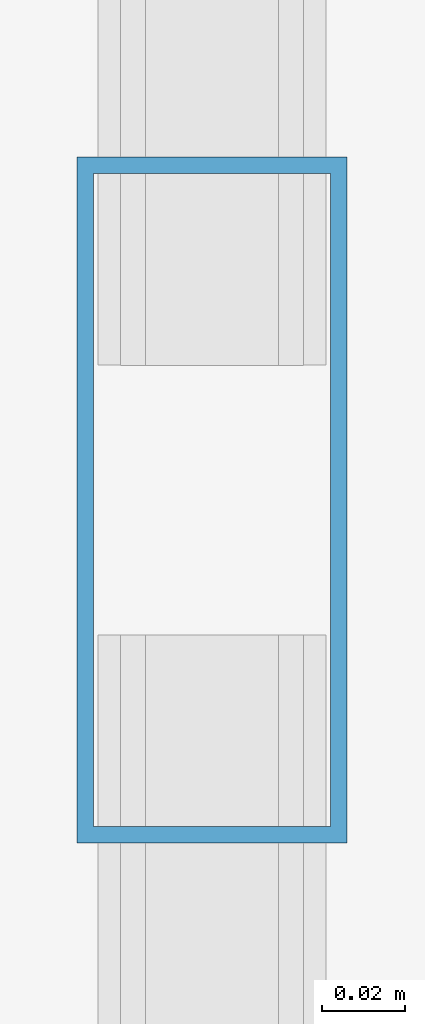
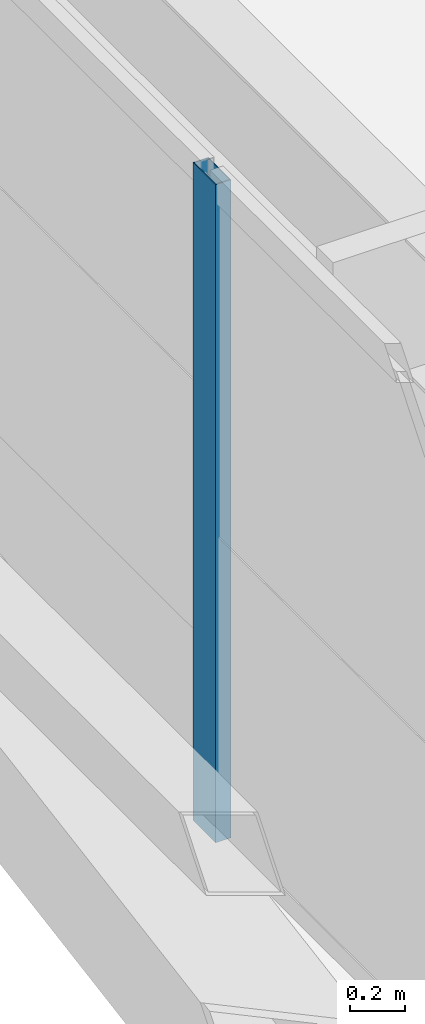
# One storey, part 11 of 44: 1 member, 1 element without a shape of its own.
"""IFC4 building model written with IfcOpenShell, lengths in metres."""

import ifcopenshell
import ifcopenshell.guid

model = None  # the IFC model being written
_history = None  # IfcOwnerHistory: only IFC2X3 demands one
_inside = {}  # id of a spatial element -> (the spatial element, [elements in it])
_under = {}  # id of a project, library or spatial element -> (it, [spatial elements below it])
_declared = {}  # id of a project -> (the project, [libraries it declares])
_typed = {}  # id of a type object -> (the type object, [elements of that type])
_made_of = {}  # id of a material, layer set ... -> (it, [elements and type objects made of it])


def new_model(schema):
    """Start an empty IFC model of exactly this schema.

    Asked for "IFC4X3", IfcOpenShell would pick the latest addendum, in which some entities
    have other attributes; the version numbers below select the first issue.
    IFC2X3 requires an IfcOwnerHistory on every rooted entity: one is made here for all.
    """
    global model, _history
    if schema == "IFC4X3":
        model = ifcopenshell.file(schema_version=(4, 3, 0, 0))
    else:
        model = ifcopenshell.file(schema=schema)
    _inside.clear()
    _under.clear()
    _declared.clear()
    _typed.clear()
    _made_of.clear()
    _history = None
    if model.schema == "IFC2X3":
        org = make("IfcOrganization", Name="unknown")
        user = make(
            "IfcPersonAndOrganization",
            ThePerson=make("IfcPerson", FamilyName="unknown"),
            TheOrganization=org,
        )
        app = make(
            "IfcApplication",
            ApplicationDeveloper=org,
            Version="unknown",
            ApplicationFullName="unknown",
            ApplicationIdentifier="unknown",
        )
        _history = make(
            "IfcOwnerHistory",
            OwningUser=user,
            OwningApplication=app,
            ChangeAction="ADDED",
            CreationDate=0,
        )
    return model


def make(cls, **values):
    """One entity of the class cls with the attributes given. An attribute that is None is left unset."""
    return model.create_entity(
        cls, **{name: value for name, value in values.items() if value is not None}
    )


def rooted(cls, **values):
    """An entity with a GlobalId (a new one), such as an element, a storey or a relation."""
    return make(cls, GlobalId=ifcopenshell.guid.new(), OwnerHistory=_history, **values)


def si_unit(unit_type, name, prefix=None):
    """IfcSIUnit, for example si_unit("LENGTHUNIT", "METRE", prefix="MILLI")."""
    return make("IfcSIUnit", UnitType=unit_type, Prefix=prefix, Name=name)


def assignment(units):
    """IfcUnitAssignment: the units of a project."""
    return None if units is None else make("IfcUnitAssignment", Units=units)


def point(xyz):
    """IfcCartesianPoint."""
    return None if xyz is None else make("IfcCartesianPoint", Coordinates=xyz)


def direction(xyz):
    """IfcDirection."""
    return None if xyz is None else make("IfcDirection", DirectionRatios=xyz)


def frame(location, z_axis=None, x_axis=None):
    """IfcAxis2Placement3D, a coordinate frame: its origin and axes. An axis left out is left unset."""
    return make(
        "IfcAxis2Placement3D",
        Location=point(location),
        Axis=direction(z_axis),
        RefDirection=direction(x_axis),
    )


def frame_2d(location, x_axis=None):
    """IfcAxis2Placement2D, a coordinate frame in the plane: its origin and x axis."""
    return make(
        "IfcAxis2Placement2D", Location=point(location), RefDirection=direction(x_axis)
    )


def origin():
    """The frame at (0, 0, 0) with its axes left unset."""
    return frame((0.0, 0.0, 0.0))


def origin_2d():
    """The frame at (0, 0) in the plane with its x axis left unset."""
    return frame_2d((0.0, 0.0))


def place(relative_to, where):
    """IfcLocalPlacement: puts the frame where relative to a parent placement (None: the world)."""
    return make(
        "IfcLocalPlacement", PlacementRelTo=relative_to, RelativePlacement=where
    )


def context(
    kind, dimensions, precision=None, world=None, true_north=None, identifier=None
):
    """IfcGeometricRepresentationContext, for example the 3D "Model" context."""
    return make(
        "IfcGeometricRepresentationContext",
        ContextIdentifier=identifier,
        ContextType=kind,
        CoordinateSpaceDimension=dimensions,
        Precision=precision,
        WorldCoordinateSystem=world,
        TrueNorth=true_north,
    )


def subcontext(parent, identifier, kind, view, scale=None):
    """IfcGeometricRepresentationSubContext, for example "Body" below "Model"."""
    return make(
        "IfcGeometricRepresentationSubContext",
        ContextIdentifier=identifier,
        ContextType=kind,
        ParentContext=parent,
        TargetScale=scale,
        TargetView=view,
    )


def project(units=None, contexts=None):
    """IfcProject with its units and contexts."""
    return rooted(
        "IfcProject",
        Name="project",
        RepresentationContexts=contexts,
        UnitsInContext=assignment(units),
    )


def spatial(cls, under=None, at=None, **own):
    """A site, building, storey or space (cls), placed at a placement, below another one or the project."""
    s = rooted(cls, ObjectPlacement=at, **own)
    if under is not None:
        _under.setdefault(under.id(), (under, []))[1].append(s)
    return s


def profile(cls, at=None, kind="AREA", **sizes):
    """A parametric profile (cls). Its sizes go by their IFC names, for example OverallWidth=200.0."""
    return make(cls, ProfileType=kind, Position=at, **sizes)


def hollow_rectangle(**sizes):
    """IfcRectangleHollowProfileDef."""
    return profile("IfcRectangleHollowProfileDef", **sizes)


def extrude(swept, where, along, depth):
    """IfcExtrudedAreaSolid: the profile swept, set in the frame where, extruded along a direction by depth."""
    return make(
        "IfcExtrudedAreaSolid",
        SweptArea=swept,
        Position=where,
        ExtrudedDirection=direction(along),
        Depth=depth,
    )


def shape(context_of_items, identifier, shape_type, items):
    """IfcShapeRepresentation: the items that make up one representation, for example the "Body"."""
    return make(
        "IfcShapeRepresentation",
        ContextOfItems=context_of_items,
        RepresentationIdentifier=identifier,
        RepresentationType=shape_type,
        Items=items,
    )


def source(mapping_origin, context_of_items, identifier, shape_type, items):
    """IfcRepresentationMap: a shape defined once, which mapped items show again and again."""
    return make(
        "IfcRepresentationMap",
        MappingOrigin=mapping_origin,
        MappedRepresentation=shape(context_of_items, identifier, shape_type, items),
    )


def transform(
    local_origin,
    x_axis=None,
    y_axis=None,
    z_axis=None,
    scale=None,
    scale2=None,
    scale3=None,
    uniform=True,
):
    """IfcCartesianTransformationOperator3D, or its non-uniform kind. x_axis, y_axis, z_axis: its Axis1, 2, 3."""
    if uniform:
        return make(
            "IfcCartesianTransformationOperator3D",
            Axis1=direction(x_axis),
            Axis2=direction(y_axis),
            LocalOrigin=point(local_origin),
            Scale=scale,
            Axis3=direction(z_axis),
        )
    return make(
        "IfcCartesianTransformationOperator3DnonUniform",
        Axis1=direction(x_axis),
        Axis2=direction(y_axis),
        LocalOrigin=point(local_origin),
        Scale=scale,
        Axis3=direction(z_axis),
        Scale2=scale2,
        Scale3=scale3,
    )


def mapped(mapping_source, mapping_target):
    """IfcMappedItem: shows the shape of a source again, moved by a transform."""
    return make(
        "IfcMappedItem", MappingSource=mapping_source, MappingTarget=mapping_target
    )


def material(Name=None, Category=None):
    """IfcMaterial."""
    return make("IfcMaterial", Name=Name, Category=Category)


def layer(
    of_material, thickness, ventilated=None, Name=None, Category=None, Priority=None
):
    """IfcMaterialLayer: one layer of a wall or slab, of a material (None: an air gap)."""
    return make(
        "IfcMaterialLayer",
        Material=of_material,
        LayerThickness=thickness,
        IsVentilated=ventilated,
        Name=Name,
        Category=Category,
        Priority=Priority,
    )


def layer_set(layers, Name=None):
    """IfcMaterialLayerSet."""
    return make("IfcMaterialLayerSet", MaterialLayers=layers, LayerSetName=Name)


def material_profile(
    of_material, cross_section, Name=None, Category=None, Priority=None
):
    """IfcMaterialProfile: a cross section and its material."""
    return make(
        "IfcMaterialProfile",
        Name=Name,
        Material=of_material,
        Profile=cross_section,
        Priority=Priority,
        Category=Category,
    )


def profile_set(profiles, Name=None, composite=None):
    """IfcMaterialProfileSet."""
    return make(
        "IfcMaterialProfileSet",
        Name=Name,
        MaterialProfiles=profiles,
        CompositeProfile=composite,
    )


def made_of(thing, what):
    """Note that an element or type object is made of a material, layer set ...; save() writes the relation."""
    if what is not None:
        _made_of.setdefault(what.id(), (what, []))[1].append(thing)
    return thing


def type_object(cls, material=None, **own):
    """A type object (cls), such as IfcWallType, which elements share."""
    return made_of(rooted(cls, **own), material)


def element(
    cls,
    number,
    at=None,
    inside=None,
    cuts=None,
    type_object=None,
    material=None,
    context=None,
    identifier="Body",
    shape_type=None,
    held_by="IfcProductDefinitionShape",
    body=None,
    shapes=None,
    **own,
):
    """One element of the class cls, such as IfcWall. Its Tag is "e" and its number.

    at: its placement. inside: the storey or other place that contains it. cuts: it is an
    opening in that element (IfcRelVoidsElement). A single representation is given by context,
    identifier, shape_type and body (its items); several are given by shapes. held_by: the class
    of the entity that holds the representations. save() writes the other relations.
    """
    e = rooted(cls, Tag="e%d" % number, ObjectPlacement=at, **own)
    if body is not None:
        shapes = [shape(context, identifier, shape_type, body)]
    if shapes is not None:
        e.Representation = make(held_by, Representations=shapes)
    if inside is not None:
        _inside.setdefault(inside.id(), (inside, []))[1].append(e)
    if cuts is not None:
        rooted(
            "IfcRelVoidsElement", RelatingBuildingElement=cuts, RelatedOpeningElement=e
        )
    if type_object is not None:
        _typed.setdefault(type_object.id(), (type_object, []))[1].append(e)
    return made_of(e, material)


def aggregate(whole, parts):
    """IfcRelAggregates: a whole, such as a stair, and the parts it consists of."""
    return rooted("IfcRelAggregates", RelatingObject=whole, RelatedObjects=parts)


def save(model, path):
    """Write the relations noted so far, then the file.

    IfcRelAggregates (storeys below a building ...), IfcRelContainedInSpatialStructure (elements
    in a storey), IfcRelDefinesByType, IfcRelAssociatesMaterial and IfcRelDeclares: one each for
    every whole, place, type object, material and project.
    """
    for whole, parts in _under.values():
        aggregate(whole, parts)
    for where, things in _inside.values():
        rooted(
            "IfcRelContainedInSpatialStructure",
            RelatedElements=things,
            RelatingStructure=where,
        )
    for kind, things in _typed.values():
        rooted("IfcRelDefinesByType", RelatedObjects=things, RelatingType=kind)
    for what, things in _made_of.values():
        rooted("IfcRelAssociatesMaterial", RelatedObjects=things, RelatingMaterial=what)
    for by, libraries in _declared.values():
        rooted("IfcRelDeclares", RelatingContext=by, RelatedDefinitions=libraries)
    model.write(path)


model = new_model("IFC4")

# Units and contexts
model_context = context("Model", 3, precision=1e-05, world=origin(), true_north=direction((0.0, 1.0)))
body_context = subcontext(model_context, "Body", "Model", "MODEL_VIEW")
ifc_project = project(units=[si_unit("LENGTHUNIT", "METRE"), si_unit("AREAUNIT", "SQUARE_METRE"), si_unit("VOLUMEUNIT", "CUBIC_METRE"), si_unit("PLANEANGLEUNIT", "RADIAN"), si_unit("MASSUNIT", "GRAM", prefix="KILO")], contexts=[model_context])

# Site, building, storey
site_placement = place(None, origin())
site = spatial("IfcSite", under=ifc_project, at=site_placement, CompositionType="ELEMENT")
building_placement = place(site_placement, origin())
building = spatial("IfcBuilding", under=site, at=building_placement, Name="Taldren Reach Tower", CompositionType="ELEMENT")
storey_placement = place(building_placement, frame((0.0, 0.0, 38.85009765625)))
storey = spatial("IfcBuildingStorey", under=building, at=storey_placement, Name="L11", CompositionType="ELEMENT", Elevation=38.85009765625)

# Curtain wall, member
ifc_material_1 = material(Name="Aluminium and Low-E Glass Unitised System", Category="aluminium")
ifc_layer = layer(ifc_material_1, 0.159912109375)
ifc_layer_set = layer_set([ifc_layer], Name="Aluminium and Low-E Glass Unitised System")
curtain_wall_type = type_object("IfcCurtainWallType", Name="CW-SYS-2", PredefinedType="NOTDEFINED", material=ifc_layer_set)
curtain_wall_placement = place(storey_placement, origin())
curtain_wall = element("IfcCurtainWall", 1, at=curtain_wall_placement, inside=storey, type_object=curtain_wall_type, Name="Unitised curtain wall CW-L11-W", PredefinedType="NOTDEFINED")
ifc_material_2 = material(Name="Anodised Aluminium 6063-T6", Category="aluminium")
ifc_material_profile = material_profile(ifc_material_2, hollow_rectangle(XDim=0.06494140625, YDim=0.1650390625, WallThickness=0.00390625, at=origin_2d()), Name="ALU-165x65x4RHS")
ifc_profile_set = profile_set([ifc_material_profile], Name="Anodised Aluminium 6063-T6")
member_type = type_object("IfcMemberType", Name="CW-MUL-165", PredefinedType="MULLION", material=ifc_profile_set)
shared_shape = source(origin(), body_context, "Body", "SweptSolid", [
    extrude(hollow_rectangle(XDim=0.06494140625, YDim=0.1650390625, WallThickness=0.00390625, at=origin_2d()), origin(), (0.0, 0.0, 1.0), 2.929931640625),
])
member_placement = place(storey_placement, frame((5.139892578125, 25.166748046875, 0.0), z_axis=(0.0, 0.0, 1.0), x_axis=(1.0, 0.0, 0.0)))
member = element("IfcMember", 2, at=member_placement, type_object=member_type, Name="CW-2 mullion 2", PredefinedType="MULLION", context=body_context, shape_type="MappedRepresentation", body=[
    mapped(shared_shape, transform((0.0, 0.0, 0.0), scale=1.0)),
])
aggregate(curtain_wall, [member])

save(model, "model.ifc")
